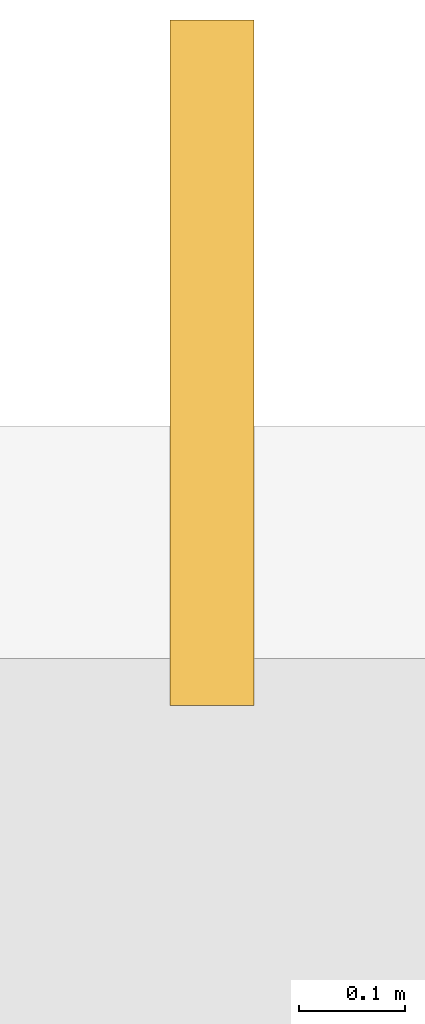
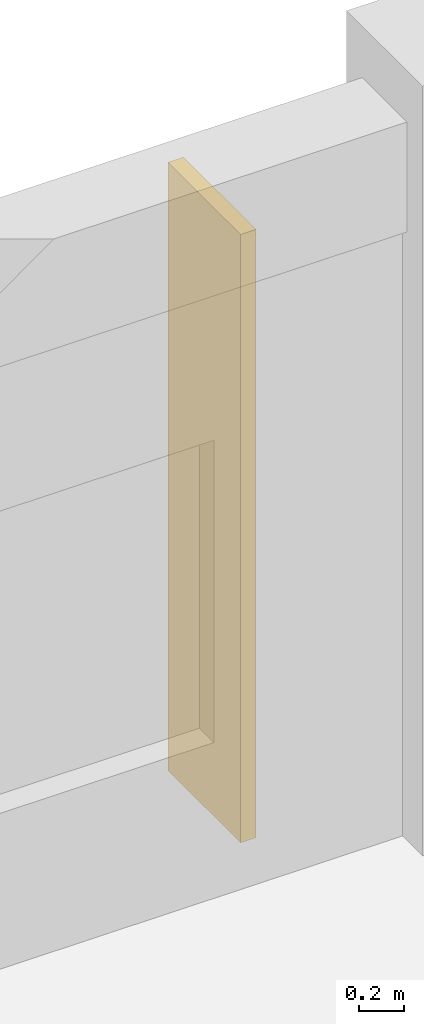
# One storey, part 135 of 140: 1 shading device.
"""IFC4 building model written with IfcOpenShell, lengths in metres."""

from ifc_helpers import new_model, si_unit, direction, frame, origin, origin_2d, place, context, subcontext, project, spatial, rectangle, extrude, material, type_object, element, save


model = new_model("IFC4")

# Units and contexts
model_context = context("Model", 3, precision=1e-05, world=origin(), true_north=direction((0.0, 1.0)))
body_context = subcontext(model_context, "Body", "Model", "MODEL_VIEW")
ifc_project = project(units=[si_unit("LENGTHUNIT", "METRE"), si_unit("AREAUNIT", "SQUARE_METRE"), si_unit("VOLUMEUNIT", "CUBIC_METRE"), si_unit("PLANEANGLEUNIT", "RADIAN"), si_unit("MASSUNIT", "GRAM", prefix="KILO")], contexts=[model_context])

# Site, building, storey
site_placement = place(None, origin())
site = spatial("IfcSite", under=ifc_project, at=site_placement, CompositionType="ELEMENT")
building_placement = place(site_placement, origin())
building = spatial("IfcBuilding", under=site, at=building_placement, Name="Trelvath General Hospital", CompositionType="ELEMENT")
storey_placement = place(building_placement, frame((0.0, 0.0, 16.199951171875)))
storey = spatial("IfcBuildingStorey", under=building, at=storey_placement, Name="L04", CompositionType="ELEMENT", Elevation=16.199951171875)

# Shading device
ifc_material = material(Name="Anodised aluminium", Category="aluminium")
shading_device_type = type_object("IfcShadingDeviceType", Name="SolarScreen PerforatedAlu", PredefinedType="JALOUSIE", material=ifc_material)
shading_device_placement = place(storey_placement, frame((32.646484375, 118.080078125, 0.0), z_axis=(0.0, 0.0, 1.0), x_axis=(0.0, 1.0, 0.0)))
element("IfcShadingDevice", 1, at=shading_device_placement, inside=storey, type_object=shading_device_type, Name="Solar Brise-Soleil Screen L04-72", PredefinedType="JALOUSIE", context=body_context, shape_type="SweptSolid", body=[
    extrude(rectangle(XDim=0.64990234375, YDim=0.080078125, at=origin_2d()), origin(), (0.0, 0.0, 1.0), 3.320068359375),
])

save(model, "model.ifc")
